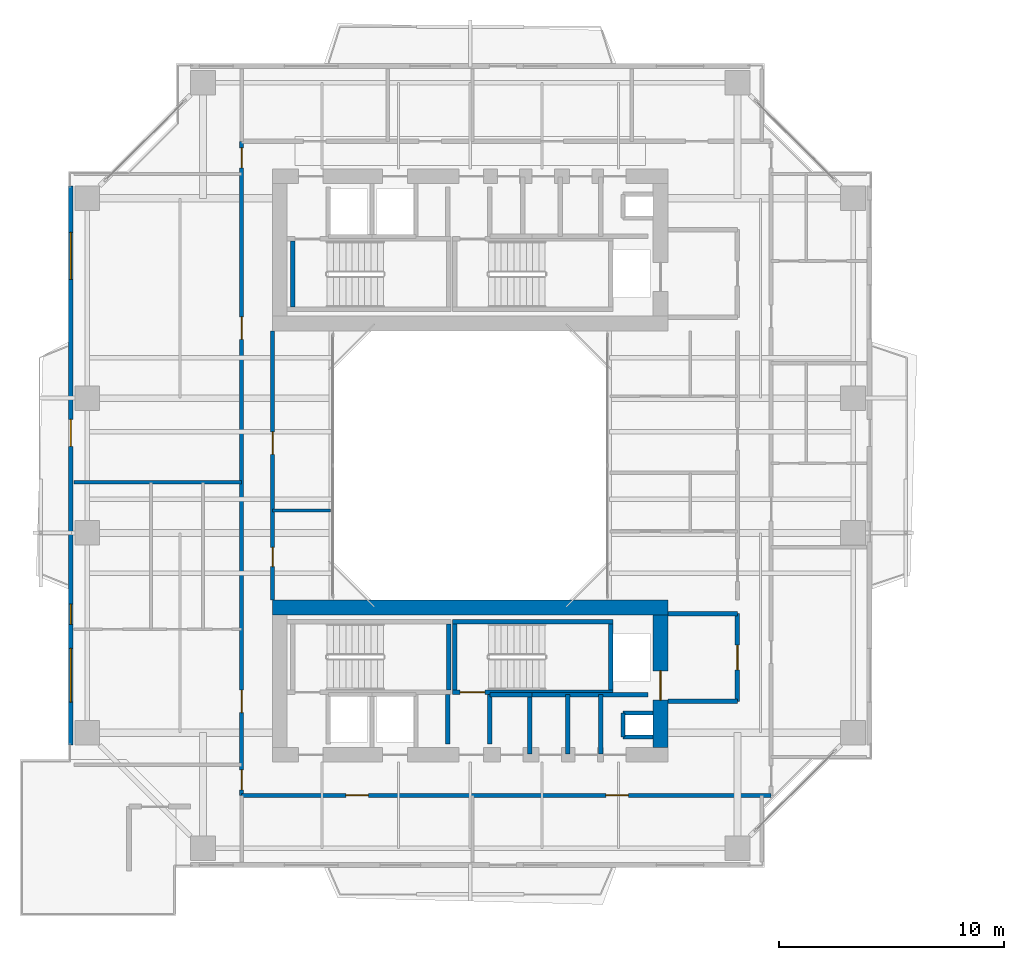
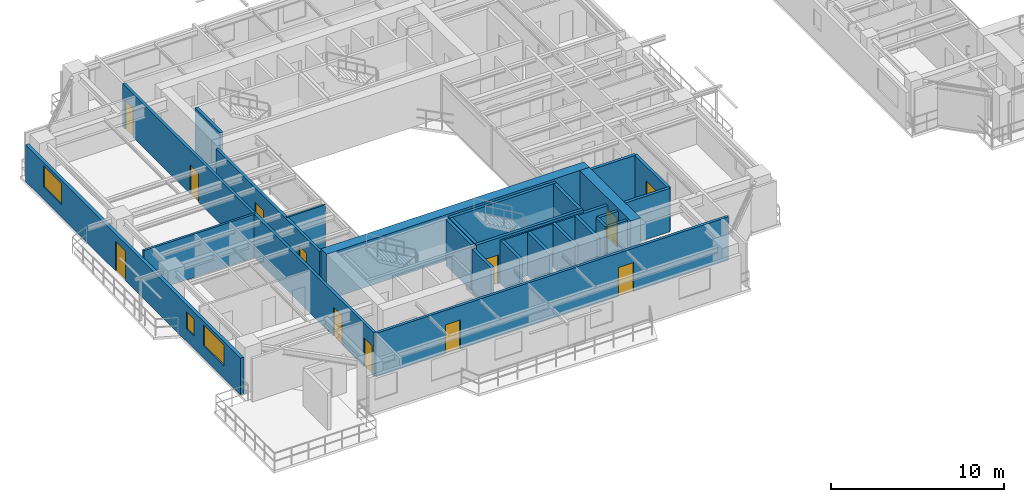
# One storey, part 13 of 23: 27 walls, 12 doors, 3 windows, 15 openings.
"""IFC4 building model written with IfcOpenShell, lengths in metres."""

from ifc_helpers import new_model, si_unit, direction, frame, frame_2d, origin, place, context, subcontext, project, spatial, rectangle, extrude, source, transform, mapped, material, layer, layer_set, type_object, element, fill, save


model = new_model("IFC4")

# Units and contexts
model_context = context("Model", 3, precision=1e-05, world=origin(), true_north=direction((0.0, 1.0)))
body_context = subcontext(model_context, "Body", "Model", "MODEL_VIEW")
ifc_project = project(units=[si_unit("LENGTHUNIT", "METRE"), si_unit("AREAUNIT", "SQUARE_METRE"), si_unit("VOLUMEUNIT", "CUBIC_METRE"), si_unit("PLANEANGLEUNIT", "RADIAN"), si_unit("MASSUNIT", "GRAM", prefix="KILO"), si_unit("THERMODYNAMICTEMPERATUREUNIT", "KELVIN"), si_unit("POWERUNIT", "WATT")], contexts=[model_context])

# Site, building, storey
site_placement = place(None, origin())
site = spatial("IfcSite", under=ifc_project, at=site_placement, CompositionType="ELEMENT")
building_placement = place(site_placement, origin())
building = spatial("IfcBuilding", under=site, at=building_placement, Name="Qiaomeng Ring Towers", CompositionType="ELEMENT")
storey_placement = place(building_placement, frame((0.0, 0.0, 103.5)))
storey = spatial("IfcBuildingStorey", under=building, at=storey_placement, Name="L29", CompositionType="ELEMENT", Elevation=103.5)

# Wall, openings, windows, door
ifc_material_1 = material(Name="Precast concrete C40", Category="concrete")
ifc_layer_1 = layer(ifc_material_1, 0.219970703125, Name="Precast concrete C40")
ifc_layer_set_1 = layer_set([ifc_layer_1], Name="Precast concrete C40")
wall_type_1 = type_object("IfcWallType", Name="ARC-WL-EW2", PredefinedType="STANDARD", material=ifc_layer_set_1)
wall_1_placement = place(storey_placement, frame((1.2099609375, 10.550048828125, 0.0), z_axis=(0.0, 0.0, 1.0), x_axis=(0.0, 1.0, 0.0)))
wall_1 = element("IfcWall", 1, at=wall_1_placement, inside=storey, type_object=wall_type_1, Name="L29 Tower 1 W Exterior Wall", PredefinedType="STANDARD", context=body_context, shape_type="SweptSolid", body=[
    extrude(rectangle(XDim=24.89990234375, YDim=0.219970703125, at=frame_2d((12.449951171875, 0.0))), origin(), (0.0, 0.0, 1.0), 2.610107421875),
])
opening_1_placement = place(wall_1_placement, frame((13.300048828125, 0.0, 0.0)))
opening_1 = element("IfcOpeningElement", 2, at=opening_1_placement, cuts=wall_1, Name="Opening BD1", PredefinedType="OPENING", context=body_context, shape_type="SweptSolid", body=[
    extrude(rectangle(XDim=1.199951171875, YDim=2.10009765625, at=frame_2d((0.60009765625, 1.050048828125))), frame((0.0, 0.119873046875, 0.0), z_axis=(0.0, -1.0, 0.0), x_axis=(1.0, 0.0, 0.0)), (0.0, 0.0, 1.0), 0.239990234375),
])
opening_2_placement = place(wall_1_placement, frame((1.912109375, 0.0, 0.89990234375)))
opening_2 = element("IfcOpeningElement", 3, at=opening_2_placement, cuts=wall_1, Name="Opening WN6", PredefinedType="OPENING", context=body_context, shape_type="SweptSolid", body=[
    extrude(rectangle(XDim=2.39990234375, YDim=1.47998046875, at=frame_2d((1.199951171875, 0.739990234375))), frame((0.0, 0.119873046875, 0.0), z_axis=(0.0, -1.0, 0.0), x_axis=(1.0, 0.0, 0.0)), (0.0, 0.0, 1.0), 0.239990234375),
])
opening_3_placement = place(wall_1_placement, frame((20.737060546875, 0.0, 0.89990234375)))
opening_3 = element("IfcOpeningElement", 4, at=opening_3_placement, cuts=wall_1, Name="Opening WN4", PredefinedType="OPENING", context=body_context, shape_type="SweptSolid", body=[
    extrude(rectangle(XDim=2.10009765625, YDim=1.47998046875, at=frame_2d((1.050048828125, 0.739990234375))), frame((0.0, 0.119873046875, 0.0), z_axis=(0.0, -1.0, 0.0), x_axis=(1.0, 0.0, 0.0)), (0.0, 0.0, 1.0), 0.239990234375),
])
opening_4_placement = place(wall_1_placement, frame((5.3798828125, 0.0, 0.89990234375)))
opening_4 = element("IfcOpeningElement", 5, at=opening_4_placement, cuts=wall_1, Name="Opening WN5", PredefinedType="OPENING", context=body_context, shape_type="SweptSolid", body=[
    extrude(rectangle(XDim=0.89990234375, YDim=1.199951171875, at=frame_2d((0.449951171875, 0.60009765625))), frame((0.0, 0.119873046875, 0.0), z_axis=(0.0, -1.0, 0.0), x_axis=(1.0, 0.0, 0.0)), (0.0, 0.0, 1.0), 0.239990234375),
])
ifc_material_2 = material(Name="Low-E dark-grey laminated double glazing", Category="glass")
window_type_1 = type_object("IfcWindowType", Name="ARC-WN-4", PartitioningType="TRIPLE_PANEL_VERTICAL", PredefinedType="WINDOW", material=ifc_material_2)
shared_shape_1 = source(origin(), body_context, "Body", "SweptSolid", [
    extrude(rectangle(XDim=2.10009765625, YDim=1.47998046875, at=frame_2d((1.050048828125, 0.739990234375))), frame((0.0, 0.030029296875, 0.0), z_axis=(0.0, -1.0, 0.0), x_axis=(1.0, 0.0, 0.0)), (0.0, 0.0, 1.0), 0.06005859375),
])
window_1_placement = place(opening_3_placement, origin())
window_1 = element("IfcWindow", 6, at=window_1_placement, inside=storey, type_object=window_type_1, Name="L29 Exterior Window WN4", OverallHeight=1.47998046875, OverallWidth=2.10009765625, PartitioningType="TRIPLE_PANEL_VERTICAL", PredefinedType="WINDOW", context=body_context, shape_type="MappedRepresentation", body=[
    mapped(shared_shape_1, transform((0.0, 0.0, 0.0), x_axis=(1.0, 0.0, 0.0), y_axis=(0.0, 1.0, 0.0), z_axis=(0.0, 0.0, 1.0), scale=1.0)),
])
fill(opening_3, window_1)
window_type_2 = type_object("IfcWindowType", Name="ARC-WN-6", PartitioningType="TRIPLE_PANEL_VERTICAL", PredefinedType="WINDOW", material=ifc_material_2)
shared_shape_2 = source(origin(), body_context, "Body", "SweptSolid", [
    extrude(rectangle(XDim=2.39990234375, YDim=1.47998046875, at=frame_2d((1.199951171875, 0.739990234375))), frame((0.0, 0.030029296875, 0.0), z_axis=(0.0, -1.0, 0.0), x_axis=(1.0, 0.0, 0.0)), (0.0, 0.0, 1.0), 0.06005859375),
])
window_2_placement = place(opening_2_placement, origin())
window_2 = element("IfcWindow", 7, at=window_2_placement, inside=storey, type_object=window_type_2, Name="L29 Exterior Window WN6", OverallHeight=1.47998046875, OverallWidth=2.39990234375, PartitioningType="TRIPLE_PANEL_VERTICAL", PredefinedType="WINDOW", context=body_context, shape_type="MappedRepresentation", body=[
    mapped(shared_shape_2, transform((0.0, 0.0, 0.0), x_axis=(1.0, 0.0, 0.0), y_axis=(0.0, 1.0, 0.0), z_axis=(0.0, 0.0, 1.0), scale=1.0)),
])
fill(opening_2, window_2)
door_type_1 = type_object("IfcDoorType", Name="ARC-DR-BD1", OperationType="NOTDEFINED", PredefinedType="DOOR", material=ifc_material_2)
shared_shape_3 = source(origin(), body_context, "Body", "SweptSolid", [
    extrude(rectangle(XDim=1.199951171875, YDim=2.10009765625, at=frame_2d((0.60009765625, 1.050048828125))), frame((0.0, 0.02490234375, 0.0), z_axis=(0.0, -1.0, 0.0), x_axis=(1.0, 0.0, 0.0)), (0.0, 0.0, 1.0), 0.050048828125),
])
door_1_placement = place(opening_1_placement, frame((1.199951171875, 0.0, 0.0), z_axis=(0.0, 0.0, 1.0), x_axis=(-1.0, 0.0, 0.0)))
door_1 = element("IfcDoor", 8, at=door_1_placement, inside=storey, type_object=door_type_1, Name="L29 W Balcony Glazed Door", OperationType="SINGLE_SWING_LEFT", OverallHeight=2.10009765625, OverallWidth=1.199951171875, PredefinedType="DOOR", context=body_context, shape_type="MappedRepresentation", body=[
    mapped(shared_shape_3, transform((0.0, 0.0, 0.0), x_axis=(1.0, 0.0, 0.0), y_axis=(0.0, 1.0, 0.0), z_axis=(0.0, 0.0, 1.0), scale=1.0)),
])
fill(opening_1, door_1)
window_type_3 = type_object("IfcWindowType", Name="ARC-WN-5", PartitioningType="SINGLE_PANEL", PredefinedType="WINDOW", material=ifc_material_2)
shared_shape_4 = source(origin(), body_context, "Body", "SweptSolid", [
    extrude(rectangle(XDim=0.89990234375, YDim=1.199951171875, at=frame_2d((0.449951171875, 0.60009765625))), frame((0.0, 0.030029296875, 0.0), z_axis=(0.0, -1.0, 0.0), x_axis=(1.0, 0.0, 0.0)), (0.0, 0.0, 1.0), 0.06005859375),
])
window_3_placement = place(opening_4_placement, origin())
window_3 = element("IfcWindow", 9, at=window_3_placement, inside=storey, type_object=window_type_3, Name="L29 Exterior Window WN5", OverallHeight=1.199951171875, OverallWidth=0.89990234375, PartitioningType="SINGLE_PANEL", PredefinedType="WINDOW", context=body_context, shape_type="MappedRepresentation", body=[
    mapped(shared_shape_4, transform((0.0, 0.0, 0.0), x_axis=(1.0, 0.0, 0.0), y_axis=(0.0, 1.0, 0.0), z_axis=(0.0, 0.0, 1.0), scale=1.0)),
])
fill(opening_4, window_3)

# Walls
ifc_material_3 = material(Name="Autoclaved aerated concrete block", Category="concrete")
ifc_layer_2 = layer(ifc_material_3, 0.199951171875, Name="Autoclaved aerated concrete block")
ifc_layer_set_2 = layer_set([ifc_layer_2], Name="Autoclaved aerated concrete block")
wall_type_2 = type_object("IfcWallType", Name="ARC-WL-PW1", PredefinedType="PARTITIONING", material=ifc_layer_set_2)
for number, where, z_axis, x_axis, name in (
    (10, (27.800048828125, 16.39990234375, 0.0), (0.0, 0.0, 1.0), (1.0, 0.0, 0.0), "L29 Interior Wall PW1"),
    (11, (27.800048828125, 12.5, 0.0), (0.0, 0.0, 1.0), (1.0, 0.0, 0.0), "L29 Interior Wall PW1"),
):
    element("IfcWall", number, at=place(storey_placement, frame(where, z_axis=z_axis, x_axis=x_axis)), inside=storey, type_object=wall_type_2, Name=name, PredefinedType="PARTITIONING", context=body_context, shape_type="SweptSolid", body=[
        extrude(rectangle(XDim=3.099853515625, YDim=0.199951171875, at=frame_2d((1.5498046875, 0.0))), origin(), (0.0, 0.0, 1.0), 3.070068359375),
    ])

# Wall, opening, door
wall_2_placement = place(storey_placement, frame((30.89990234375, 12.5, 0.0), z_axis=(0.0, 0.0, 1.0), x_axis=(0.0, 1.0, 0.0)))
wall_2 = element("IfcWall", 12, at=wall_2_placement, inside=storey, type_object=wall_type_2, Name="L29 Interior Wall PW1", PredefinedType="PARTITIONING", context=body_context, shape_type="SweptSolid", body=[
    extrude(rectangle(XDim=3.89990234375, YDim=0.199951171875, at=frame_2d((1.949951171875, 0.0))), origin(), (0.0, 0.0, 1.0), 3.070068359375),
])
opening_5_placement = place(wall_2_placement, frame((1.39990234375, 0.0, 0.0)))
opening_5 = element("IfcOpeningElement", 13, at=opening_5_placement, cuts=wall_2, Name="Opening FD3", PredefinedType="OPENING", context=body_context, shape_type="SweptSolid", body=[
    extrude(rectangle(XDim=1.10009765625, YDim=2.050048828125, at=frame_2d((0.550048828125, 1.02490234375))), frame((0.0, 0.10986328125, 0.0), z_axis=(0.0, -1.0, 0.0), x_axis=(1.0, 0.0, 0.0)), (0.0, 0.0, 1.0), 0.219970703125),
])
ifc_material_4 = material(Name="Galvanised steel", Category="steel")
door_type_2 = type_object("IfcDoorType", Name="ARC-DR-FD3", OperationType="NOTDEFINED", PredefinedType="DOOR", material=ifc_material_4)
shared_shape_5 = source(origin(), body_context, "Body", "SweptSolid", [
    extrude(rectangle(XDim=1.10009765625, YDim=2.050048828125, at=frame_2d((0.550048828125, 1.02490234375))), frame((0.0, 0.02490234375, 0.0), z_axis=(0.0, -1.0, 0.0), x_axis=(1.0, 0.0, 0.0)), (0.0, 0.0, 1.0), 0.050048828125),
])
door_2_placement = place(opening_5_placement, origin())
door_2 = element("IfcDoor", 14, at=door_2_placement, inside=storey, type_object=door_type_2, Name="L29 South FF Lobby Door", OperationType="SINGLE_SWING_RIGHT", OverallHeight=2.050048828125, OverallWidth=1.10009765625, PredefinedType="DOOR", context=body_context, shape_type="MappedRepresentation", body=[
    mapped(shared_shape_5, transform((0.0, 0.0, 0.0), x_axis=(1.0, 0.0, 0.0), y_axis=(0.0, 1.0, 0.0), z_axis=(0.0, 0.0, 1.0), scale=1.0)),
])
fill(opening_5, door_2)

# Walls
for number, where, z_axis, x_axis, name in (
    (15, (18.0, 10.60009765625, 0.0), (0.0, 0.0, 1.0), (0.0, 1.0, 0.0), "L29 Interior Wall PW1"),
    (16, (19.8798828125, 10.60009765625, 0.0), (0.0, 0.0, 1.0), (0.0, 1.0, 0.0), "L29 Interior Wall PW1"),
):
    element("IfcWall", number, at=place(storey_placement, frame(where, z_axis=z_axis, x_axis=x_axis)), inside=storey, type_object=wall_type_2, Name=name, PredefinedType="PARTITIONING", context=body_context, shape_type="SweptSolid", body=[
        extrude(rectangle(XDim=2.2099609375, YDim=0.199951171875, at=frame_2d((1.10498046875, 0.0))), origin(), (0.0, 0.0, 1.0), 3.070068359375),
    ])
wall_3_placement = place(storey_placement, frame((24.820068359375, 10.14990234375, 0.0), z_axis=(0.0, 0.0, 1.0), x_axis=(0.0, 1.0, 0.0)))
element("IfcWall", 17, at=wall_3_placement, inside=storey, type_object=wall_type_2, Name="L29 Interior Wall PW1", PredefinedType="PARTITIONING", context=body_context, shape_type="SweptSolid", body=[
    extrude(rectangle(XDim=2.650146484375, YDim=0.199951171875, at=frame_2d((1.3251953125, 0.0))), origin(), (0.0, 0.0, 1.0), 3.070068359375),
])
wall_4_placement = place(storey_placement, frame((19.8798828125, 12.800048828125, 0.0), z_axis=(0.0, 0.0, 1.0), x_axis=(1.0, 0.0, 0.0)))
element("IfcWall", 18, at=wall_4_placement, inside=storey, type_object=wall_type_2, Name="L29 Interior Wall PW1", PredefinedType="PARTITIONING", context=body_context, shape_type="SweptSolid", body=[
    extrude(rectangle(XDim=1.8701171875, YDim=0.199951171875, at=frame_2d((0.93505859375, 0.0))), origin(), (0.0, 0.0, 1.0), 3.070068359375),
])
for number, where, z_axis, x_axis, name in (
    (19, (21.639892578125, 10.14990234375, 0.0), (0.0, 0.0, 1.0), (0.0, 1.0, 0.0), "L29 Interior Wall PW1"),
    (20, (23.35009765625, 10.14990234375, 0.0), (0.0, 0.0, 1.0), (0.0, 1.0, 0.0), "L29 Interior Wall PW1"),
):
    element("IfcWall", number, at=place(storey_placement, frame(where, z_axis=z_axis, x_axis=x_axis)), inside=storey, type_object=wall_type_2, Name=name, PredefinedType="PARTITIONING", context=body_context, shape_type="SweptSolid", body=[
        extrude(rectangle(XDim=2.650146484375, YDim=0.199951171875, at=frame_2d((1.3251953125, 0.0))), origin(), (0.0, 0.0, 1.0), 3.070068359375),
    ])
wall_5_placement = place(storey_placement, frame((21.75, 12.800048828125, 0.0), z_axis=(0.0, 0.0, 1.0), x_axis=(1.0, 0.0, 0.0)))
element("IfcWall", 21, at=wall_5_placement, inside=storey, type_object=wall_type_2, Name="L29 Interior Wall PW1", PredefinedType="PARTITIONING", context=body_context, shape_type="SweptSolid", body=[
    extrude(rectangle(XDim=5.169921875, YDim=0.199951171875, at=frame_2d((2.5849609375, 0.0))), origin(), (0.0, 0.0, 1.0), 3.070068359375),
])

# Wall, openings, doors
ifc_layer_3 = layer(ifc_material_3, 0.179931640625, Name="Autoclaved aerated concrete block")
ifc_layer_set_3 = layer_set([ifc_layer_3], Name="Autoclaved aerated concrete block")
wall_type_3 = type_object("IfcWallType", Name="ARC-WL-PW2", PredefinedType="PARTITIONING", material=ifc_layer_set_3)
wall_6_placement = place(storey_placement, frame((8.820068359375, 8.31005859375, 0.0), z_axis=(0.0, 0.0, 1.0), x_axis=(1.0, 0.0, 0.0)))
wall_6 = element("IfcWall", 22, at=wall_6_placement, inside=storey, type_object=wall_type_3, Name="L29 Interior Wall PW2", PredefinedType="PARTITIONING", context=body_context, shape_type="SweptSolid", body=[
    extrude(rectangle(XDim=23.579833984375, YDim=0.179931640625, at=frame_2d((11.7900390625, 0.0))), origin(), (0.0, 0.0, 1.0), 3.070068359375),
])
opening_6_placement = place(wall_6_placement, frame((4.639892578125, 0.0, 0.0)))
opening_6 = element("IfcOpeningElement", 23, at=opening_6_placement, cuts=wall_6, Name="Opening FD4", PredefinedType="OPENING", context=body_context, shape_type="SweptSolid", body=[
    extrude(rectangle(XDim=1.0, YDim=2.050048828125, at=frame_2d((0.5, 1.02490234375))), frame((0.0, 0.099853515625, 0.0), z_axis=(0.0, -1.0, 0.0), x_axis=(1.0, 0.0, 0.0)), (0.0, 0.0, 1.0), 0.199951171875),
])
opening_7_placement = place(wall_6_placement, frame((16.219970703125, 0.0, 0.0)))
opening_7 = element("IfcOpeningElement", 24, at=opening_7_placement, cuts=wall_6, Name="Opening FD4", PredefinedType="OPENING", context=body_context, shape_type="SweptSolid", body=[
    extrude(rectangle(XDim=1.0, YDim=2.050048828125, at=frame_2d((0.5, 1.02490234375))), frame((0.0, 0.099853515625, 0.0), z_axis=(0.0, -1.0, 0.0), x_axis=(1.0, 0.0, 0.0)), (0.0, 0.0, 1.0), 0.199951171875),
])
ifc_material_5 = material(Name="Engineered fire-rated oak timber", Category="wood")
door_type_3 = type_object("IfcDoorType", Name="ARC-DR-FD4", OperationType="NOTDEFINED", PredefinedType="DOOR", material=ifc_material_5)
shared_shape_6 = source(origin(), body_context, "Body", "SweptSolid", [
    extrude(rectangle(XDim=1.0, YDim=2.050048828125, at=frame_2d((0.5, 1.02490234375))), frame((0.0, 0.02490234375, 0.0), z_axis=(0.0, -1.0, 0.0), x_axis=(1.0, 0.0, 0.0)), (0.0, 0.0, 1.0), 0.050048828125),
])
door_3_placement = place(opening_6_placement, origin())
door_3 = element("IfcDoor", 25, at=door_3_placement, inside=storey, type_object=door_type_3, Name="L29 Door FD4", OperationType="SINGLE_SWING_LEFT", OverallHeight=2.050048828125, OverallWidth=1.0, PredefinedType="DOOR", context=body_context, shape_type="MappedRepresentation", body=[
    mapped(shared_shape_6, transform((0.0, 0.0, 0.0), x_axis=(1.0, 0.0, 0.0), y_axis=(0.0, 1.0, 0.0), z_axis=(0.0, 0.0, 1.0), scale=1.0)),
])
fill(opening_6, door_3)
door_4_placement = place(opening_7_placement, origin())
door_4 = element("IfcDoor", 26, at=door_4_placement, inside=storey, type_object=door_type_3, Name="L29 Door FD4", OperationType="SINGLE_SWING_RIGHT", OverallHeight=2.050048828125, OverallWidth=1.0, PredefinedType="DOOR", context=body_context, shape_type="MappedRepresentation", body=[
    mapped(shared_shape_6, transform((0.0, 0.0, 0.0), x_axis=(1.0, 0.0, 0.0), y_axis=(0.0, 1.0, 0.0), z_axis=(0.0, 0.0, 1.0), scale=1.0)),
])
fill(opening_7, door_4)

wall_7_placement = place(storey_placement, frame((8.820068359375, 8.31005859375, 0.0), z_axis=(0.0, 0.0, 1.0), x_axis=(0.0, 1.0, 0.0)))
wall_7 = element("IfcWall", 27, at=wall_7_placement, inside=storey, type_object=wall_type_3, Name="L29 Interior Wall PW2", PredefinedType="PARTITIONING", context=body_context, shape_type="SweptSolid", body=[
    extrude(rectangle(XDim=29.1298828125, YDim=0.179931640625, at=frame_2d((14.56494140625, 0.0))), origin(), (0.0, 0.0, 1.0), 3.070068359375),
])
opening_8_placement = place(wall_7_placement, frame((27.93994140625, 0.0, 0.0)))
opening_8 = element("IfcOpeningElement", 28, at=opening_8_placement, cuts=wall_7, Name="Opening ID1", PredefinedType="OPENING", context=body_context, shape_type="SweptSolid", body=[
    extrude(rectangle(XDim=0.89990234375, YDim=2.050048828125, at=frame_2d((0.449951171875, 1.02490234375))), frame((0.0, 0.099853515625, 0.0), z_axis=(0.0, -1.0, 0.0), x_axis=(1.0, 0.0, 0.0)), (0.0, 0.0, 1.0), 0.199951171875),
])
opening_9_placement = place(wall_7_placement, frame((0.239990234375, 0.0, 0.0)))
opening_9 = element("IfcOpeningElement", 29, at=opening_9_placement, cuts=wall_7, Name="Opening ID1", PredefinedType="OPENING", context=body_context, shape_type="SweptSolid", body=[
    extrude(rectangle(XDim=0.89990234375, YDim=2.050048828125, at=frame_2d((0.449951171875, 1.02490234375))), frame((0.0, 0.099853515625, 0.0), z_axis=(0.0, -1.0, 0.0), x_axis=(1.0, 0.0, 0.0)), (0.0, 0.0, 1.0), 0.199951171875),
])
opening_10_placement = place(wall_7_placement, frame((3.68994140625, 0.0, 0.0)))
opening_10 = element("IfcOpeningElement", 30, at=opening_10_placement, cuts=wall_7, Name="Opening FD4", PredefinedType="OPENING", context=body_context, shape_type="SweptSolid", body=[
    extrude(rectangle(XDim=1.0, YDim=2.050048828125, at=frame_2d((0.5, 1.02490234375))), frame((0.0, 0.099853515625, 0.0), z_axis=(0.0, -1.0, 0.0), x_axis=(1.0, 0.0, 0.0)), (0.0, 0.0, 1.0), 0.199951171875),
])
opening_11_placement = place(wall_7_placement, frame((20.304931640625, 0.0, 0.0)))
opening_11 = element("IfcOpeningElement", 31, at=opening_11_placement, cuts=wall_7, Name="Opening FD4", PredefinedType="OPENING", context=body_context, shape_type="SweptSolid", body=[
    extrude(rectangle(XDim=1.0, YDim=2.050048828125, at=frame_2d((0.5, 1.02490234375))), frame((0.0, 0.099853515625, 0.0), z_axis=(0.0, -1.0, 0.0), x_axis=(1.0, 0.0, 0.0)), (0.0, 0.0, 1.0), 0.199951171875),
])
door_5_placement = place(opening_10_placement, origin())
door_5 = element("IfcDoor", 32, at=door_5_placement, inside=storey, type_object=door_type_3, Name="L29 Door FD4", OperationType="SINGLE_SWING_RIGHT", OverallHeight=2.050048828125, OverallWidth=1.0, PredefinedType="DOOR", context=body_context, shape_type="MappedRepresentation", body=[
    mapped(shared_shape_6, transform((0.0, 0.0, 0.0), x_axis=(1.0, 0.0, 0.0), y_axis=(0.0, 1.0, 0.0), z_axis=(0.0, 0.0, 1.0), scale=1.0)),
])
fill(opening_10, door_5)
door_6_placement = place(opening_11_placement, origin())
door_6 = element("IfcDoor", 33, at=door_6_placement, inside=storey, type_object=door_type_3, Name="L29 Door FD4", OperationType="SINGLE_SWING_LEFT", OverallHeight=2.050048828125, OverallWidth=1.0, PredefinedType="DOOR", context=body_context, shape_type="MappedRepresentation", body=[
    mapped(shared_shape_6, transform((0.0, 0.0, 0.0), x_axis=(1.0, 0.0, 0.0), y_axis=(0.0, 1.0, 0.0), z_axis=(0.0, 0.0, 1.0), scale=1.0)),
])
fill(opening_11, door_6)
ifc_material_6 = material(Name="Engineered oak timber", Category="wood")
door_type_4 = type_object("IfcDoorType", Name="ARC-DR-ID1", OperationType="NOTDEFINED", PredefinedType="DOOR", material=ifc_material_6)
shared_shape_7 = source(origin(), body_context, "Body", "SweptSolid", [
    extrude(rectangle(XDim=0.89990234375, YDim=2.050048828125, at=frame_2d((0.449951171875, 1.02490234375))), frame((0.0, 0.02490234375, 0.0), z_axis=(0.0, -1.0, 0.0), x_axis=(1.0, 0.0, 0.0)), (0.0, 0.0, 1.0), 0.050048828125),
])
door_7_placement = place(opening_8_placement, origin())
door_7 = element("IfcDoor", 34, at=door_7_placement, inside=storey, type_object=door_type_4, Name="L29 Door ID1", OperationType="SINGLE_SWING_LEFT", OverallHeight=2.050048828125, OverallWidth=0.89990234375, PredefinedType="DOOR", context=body_context, shape_type="MappedRepresentation", body=[
    mapped(shared_shape_7, transform((0.0, 0.0, 0.0), x_axis=(1.0, 0.0, 0.0), y_axis=(0.0, 1.0, 0.0), z_axis=(0.0, 0.0, 1.0), scale=1.0)),
])
fill(opening_8, door_7)
door_8_placement = place(opening_9_placement, origin())
door_8 = element("IfcDoor", 35, at=door_8_placement, inside=storey, type_object=door_type_4, Name="L29 Door ID1", OperationType="SINGLE_SWING_RIGHT", OverallHeight=2.050048828125, OverallWidth=0.89990234375, PredefinedType="DOOR", context=body_context, shape_type="MappedRepresentation", body=[
    mapped(shared_shape_7, transform((0.0, 0.0, 0.0), x_axis=(1.0, 0.0, 0.0), y_axis=(0.0, 1.0, 0.0), z_axis=(0.0, 0.0, 1.0), scale=1.0)),
])
fill(opening_9, door_8)

wall_8_placement = place(storey_placement, frame((10.199951171875, 17.0, 0.0), z_axis=(0.0, 0.0, 1.0), x_axis=(0.0, 1.0, 0.0)))
wall_8 = element("IfcWall", 36, at=wall_8_placement, inside=storey, type_object=wall_type_3, Name="L29 Interior Wall PW2", PredefinedType="PARTITIONING", context=body_context, shape_type="SweptSolid", body=[
    extrude(rectangle(XDim=12.0, YDim=0.179931640625, at=frame_2d((6.0, 0.0))), origin(), (0.0, 0.0, 1.0), 3.070068359375),
])
opening_12_placement = place(wall_8_placement, frame((1.5, 0.0, 0.0)))
opening_12 = element("IfcOpeningElement", 37, at=opening_12_placement, cuts=wall_8, Name="Opening ID2", PredefinedType="OPENING", context=body_context, shape_type="SweptSolid", body=[
    extrude(rectangle(XDim=0.85009765625, YDim=2.050048828125, at=frame_2d((0.425048828125, 1.02490234375))), frame((0.0, 0.099853515625, 0.0), z_axis=(0.0, -1.0, 0.0), x_axis=(1.0, 0.0, 0.0)), (0.0, 0.0, 1.0), 0.199951171875),
])
opening_13_placement = place(wall_8_placement, frame((6.5, 0.0, 0.0)))
opening_13 = element("IfcOpeningElement", 38, at=opening_13_placement, cuts=wall_8, Name="Opening FD4", PredefinedType="OPENING", context=body_context, shape_type="SweptSolid", body=[
    extrude(rectangle(XDim=1.0, YDim=2.050048828125, at=frame_2d((0.5, 1.02490234375))), frame((0.0, 0.099853515625, 0.0), z_axis=(0.0, -1.0, 0.0), x_axis=(1.0, 0.0, 0.0)), (0.0, 0.0, 1.0), 0.199951171875),
])
door_9_placement = place(opening_13_placement, origin())
door_9 = element("IfcDoor", 39, at=door_9_placement, inside=storey, type_object=door_type_3, Name="L29 Door FD4", OperationType="SINGLE_SWING_LEFT", OverallHeight=2.050048828125, OverallWidth=1.0, PredefinedType="DOOR", context=body_context, shape_type="MappedRepresentation", body=[
    mapped(shared_shape_6, transform((0.0, 0.0, 0.0), x_axis=(1.0, 0.0, 0.0), y_axis=(0.0, 1.0, 0.0), z_axis=(0.0, 0.0, 1.0), scale=1.0)),
])
fill(opening_13, door_9)
ifc_material_7 = material(Name="Moisture-resistant engineered timber", Category="wood")
door_type_5 = type_object("IfcDoorType", Name="ARC-DR-ID2", OperationType="NOTDEFINED", PredefinedType="DOOR", material=ifc_material_7)
shared_shape_8 = source(origin(), body_context, "Body", "SweptSolid", [
    extrude(rectangle(XDim=0.85009765625, YDim=2.050048828125, at=frame_2d((0.425048828125, 1.02490234375))), frame((0.0, 0.02490234375, 0.0), z_axis=(0.0, -1.0, 0.0), x_axis=(1.0, 0.0, 0.0)), (0.0, 0.0, 1.0), 0.050048828125),
])
door_10_placement = place(opening_12_placement, origin())
door_10 = element("IfcDoor", 40, at=door_10_placement, inside=storey, type_object=door_type_5, Name="L29 Door ID2", OperationType="SINGLE_SWING_RIGHT", OverallHeight=2.050048828125, OverallWidth=0.85009765625, PredefinedType="DOOR", context=body_context, shape_type="MappedRepresentation", body=[
    mapped(shared_shape_8, transform((0.0, 0.0, 0.0), x_axis=(1.0, 0.0, 0.0), y_axis=(0.0, 1.0, 0.0), z_axis=(0.0, 0.0, 1.0), scale=1.0)),
])
fill(opening_12, door_10)

# Walls
ifc_material_8 = material(Name="Gypsum fireboard steel-stud partition", Category="steel")
ifc_layer_4 = layer(ifc_material_8, 0.14990234375, Name="Gypsum fireboard steel-stud partition")
ifc_layer_set_4 = layer_set([ifc_layer_4], Name="Gypsum fireboard steel-stud partition")
wall_type_4 = type_object("IfcWallType", Name="ARC-WL-PW3", PredefinedType="PARTITIONING", material=ifc_layer_set_4)
wall_9_placement = place(storey_placement, frame((1.35009765625, 22.25, 0.0), z_axis=(0.0, 0.0, 1.0), x_axis=(1.0, 0.0, 0.0)))
element("IfcWall", 41, at=wall_9_placement, inside=storey, type_object=wall_type_4, Name="L29 Interior Wall PW3", PredefinedType="PARTITIONING", context=body_context, shape_type="SweptSolid", body=[
    extrude(rectangle(XDim=7.469970703125, YDim=0.14990234375, at=frame_2d((3.73486328125, 0.0))), origin(), (0.0, 0.0, 1.0), 3.070068359375),
])
ifc_material_9 = material(Name="Moisture-resistant gypsum steel-stud partition", Category="steel")
ifc_layer_5 = layer(ifc_material_9, 0.1201171875, Name="Moisture-resistant gypsum steel-stud partition")
ifc_layer_set_5 = layer_set([ifc_layer_5], Name="Moisture-resistant gypsum steel-stud partition")
wall_type_5 = type_object("IfcWallType", Name="ARC-WL-PW4", PredefinedType="PLUMBINGWALL", material=ifc_layer_set_5)
wall_10_placement = place(storey_placement, frame((10.199951171875, 21.0, 0.0), z_axis=(0.0, 0.0, 1.0), x_axis=(1.0, 0.0, 0.0)))
element("IfcWall", 42, at=wall_10_placement, inside=storey, type_object=wall_type_5, Name="L29 Interior Wall PW4", PredefinedType="PLUMBINGWALL", context=body_context, shape_type="SweptSolid", body=[
    extrude(rectangle(XDim=2.580078125, YDim=0.1201171875, at=frame_2d((1.2900390625, 0.0))), origin(), (0.0, 0.0, 1.0), 3.070068359375),
])
ifc_material_10 = material(Name="Concrete C40", Category="concrete")
ifc_layer_6 = layer(ifc_material_10, 0.199951171875, Name="Concrete C40")
ifc_layer_set_6 = layer_set([ifc_layer_6], Name="Concrete C40")
wall_type_6 = type_object("IfcWallType", Name="STR-WL-STSHAFT", PredefinedType="SHEAR", material=ifc_layer_set_6)
wall_11_placement = place(storey_placement, frame((25.800048828125, 10.919921875, 0.0), z_axis=(0.0, 0.0, 1.0), x_axis=(0.0, 1.0, 0.0)))
element("IfcWall", 43, at=wall_11_placement, inside=storey, type_object=wall_type_6, Name="L29 Riser RSR1 West Shaft Wall S", PredefinedType="SHEAR", context=body_context, shape_type="SweptSolid", body=[
    extrude(rectangle(XDim=1.06005859375, YDim=0.179931640625, at=frame_2d((0.530029296875, 0.0))), origin(), (0.0, 0.0, 1.0), 3.070068359375),
])
for number, where, z_axis, x_axis, name in (
    (44, (25.800048828125, 11.97998046875, 0.0), (0.0, 0.0, 1.0), (1.0, 0.0, 0.0), "L29 Riser RSR1 North Shaft Wall S"),
    (45, (25.800048828125, 10.919921875, 0.0), (0.0, 0.0, 1.0), (1.0, 0.0, 0.0), "L29 Riser RSR1 South Shaft Wall S"),
):
    element("IfcWall", number, at=place(storey_placement, frame(where, z_axis=z_axis, x_axis=x_axis)), inside=storey, type_object=wall_type_6, Name=name, PredefinedType="SHEAR", context=body_context, shape_type="SweptSolid", body=[
        extrude(rectangle(XDim=1.349853515625, YDim=0.179931640625, at=frame_2d((0.6748046875, 0.0))), origin(), (0.0, 0.0, 1.0), 3.070068359375),
    ])
for number, where, z_axis, x_axis, name in (
    (46, (11.10009765625, 30.050048828125, 0.0), (0.0, 0.0, 1.0), (0.0, 1.0, 0.0), "L29 Stair ST1 West Shaft Shear Wall"),
    (47, (18.050048828125, 13.010009765625, 0.0), (0.0, 0.0, 1.0), (0.0, 1.0, 0.0), "L29 Stair ST3 East Shaft Shear Wall"),
):
    element("IfcWall", number, at=place(storey_placement, frame(where, z_axis=z_axis, x_axis=x_axis)), inside=storey, type_object=wall_type_6, Name=name, PredefinedType="SHEAR", context=body_context, shape_type="SweptSolid", body=[
        extrude(rectangle(XDim=2.93994140625, YDim=0.199951171875, at=frame_2d((1.469970703125, 0.0))), origin(), (0.0, 0.0, 1.0), 3.25),
    ])

# Wall, opening, door
wall_12_placement = place(storey_placement, frame((18.199951171875, 12.909912109375, 0.0), z_axis=(0.0, 0.0, 1.0), x_axis=(1.0, 0.0, 0.0)))
wall_12 = element("IfcWall", 48, at=wall_12_placement, inside=storey, type_object=wall_type_6, Name="L29 Stair ST4 South Shaft Shear Wall", PredefinedType="SHEAR", context=body_context, shape_type="SweptSolid", body=[
    extrude(rectangle(XDim=7.150146484375, YDim=0.199951171875, at=frame_2d((3.5751953125, 0.0))), origin(), (0.0, 0.0, 1.0), 3.25),
])
opening_14_placement = place(wall_12_placement, frame((0.35009765625, 0.0, 0.0)))
opening_14 = element("IfcOpeningElement", 49, at=opening_14_placement, cuts=wall_12, Name="Opening FD3", PredefinedType="OPENING", context=body_context, shape_type="SweptSolid", body=[
    extrude(rectangle(XDim=1.10009765625, YDim=2.050048828125, at=frame_2d((0.550048828125, 1.02490234375))), frame((0.0, 0.10986328125, 0.0), z_axis=(0.0, -1.0, 0.0), x_axis=(1.0, 0.0, 0.0)), (0.0, 0.0, 1.0), 0.219970703125),
])
door_11_placement = place(opening_14_placement, frame((1.10009765625, 0.0, 0.0), z_axis=(0.0, 0.0, 1.0), x_axis=(-1.0, 0.0, 0.0)))
door_11 = element("IfcDoor", 50, at=door_11_placement, inside=storey, type_object=door_type_2, Name="L29 Stair ST4 Exit Door", OperationType="SINGLE_SWING_RIGHT", OverallHeight=2.050048828125, OverallWidth=1.10009765625, PredefinedType="DOOR", context=body_context, shape_type="MappedRepresentation", body=[
    mapped(shared_shape_5, transform((0.0, 0.0, 0.0), x_axis=(1.0, 0.0, 0.0), y_axis=(0.0, 1.0, 0.0), z_axis=(0.0, 0.0, 1.0), scale=1.0)),
])
fill(opening_14, door_11)

# Walls
wall_13_placement = place(storey_placement, frame((18.199951171875, 16.050048828125, 0.0), z_axis=(0.0, 0.0, 1.0), x_axis=(1.0, 0.0, 0.0)))
element("IfcWall", 51, at=wall_13_placement, inside=storey, type_object=wall_type_6, Name="L29 Stair ST4 North Shaft Shear Wall", PredefinedType="SHEAR", context=body_context, shape_type="SweptSolid", body=[
    extrude(rectangle(XDim=7.150146484375, YDim=0.199951171875, at=frame_2d((3.5751953125, 0.0))), origin(), (0.0, 0.0, 1.0), 3.25),
])
for number, where, z_axis, x_axis, name in (
    (52, (18.300048828125, 13.010009765625, 0.0), (0.0, 0.0, 1.0), (0.0, 1.0, 0.0), "L29 Stair ST4 West Shaft Shear Wall"),
    (53, (25.25, 13.010009765625, 0.0), (0.0, 0.0, 1.0), (0.0, 1.0, 0.0), "L29 Stair ST4 East Shaft Shear Wall"),
):
    element("IfcWall", number, at=place(storey_placement, frame(where, z_axis=z_axis, x_axis=x_axis)), inside=storey, type_object=wall_type_6, Name=name, PredefinedType="SHEAR", context=body_context, shape_type="SweptSolid", body=[
        extrude(rectangle(XDim=2.93994140625, YDim=0.199951171875, at=frame_2d((1.469970703125, 0.0))), origin(), (0.0, 0.0, 1.0), 3.25),
    ])
ifc_material_11 = material(Name="Concrete C55", Category="concrete")
ifc_layer_7 = layer(ifc_material_11, 0.64990234375, Name="Concrete C55")
ifc_layer_set_7 = layer_set([ifc_layer_7], Name="Concrete C55")
wall_type_7 = type_object("IfcWallType", Name="STR-WL-SW2A", PredefinedType="SHEAR", material=ifc_layer_set_7)
wall_14_placement = place(storey_placement, frame((10.199951171875, 16.675048828125, 0.0), z_axis=(0.0, 0.0, 1.0), x_axis=(1.0, 0.0, 0.0)))
element("IfcWall", 54, at=wall_14_placement, inside=storey, type_object=wall_type_7, Name="L29 T1SC north core shear wall", PredefinedType="SHEAR", context=body_context, shape_type="SweptSolid", body=[
    extrude(rectangle(XDim=17.60009765625, YDim=0.64990234375, at=frame_2d((8.800048828125, 0.0))), origin(), (0.0, 0.0, 1.0), 3.25),
])

# Wall, opening, door
wall_15_placement = place(storey_placement, frame((27.47509765625, 10.449951171875, 0.0), z_axis=(0.0, 0.0, 1.0), x_axis=(0.0, 1.0, 0.0)))
wall_15 = element("IfcWall", 55, at=wall_15_placement, inside=storey, type_object=wall_type_7, Name="L29 T1SC east core shear wall", PredefinedType="SHEAR", context=body_context, shape_type="SweptSolid", body=[
    extrude(rectangle(XDim=5.900146484375, YDim=0.64990234375, at=frame_2d((2.9501953125, 0.0))), origin(), (0.0, 0.0, 1.0), 3.25),
])
opening_15_placement = place(wall_15_placement, frame((2.10009765625, 0.0, 0.0)))
opening_15 = element("IfcOpeningElement", 56, at=opening_15_placement, cuts=wall_15, Name="Opening LD2", PredefinedType="OPENING", context=body_context, shape_type="SweptSolid", body=[
    extrude(rectangle(XDim=1.300048828125, YDim=2.050048828125, at=frame_2d((0.64990234375, 1.02490234375))), frame((0.0, 0.3349609375, 0.0), z_axis=(0.0, -1.0, 0.0), x_axis=(1.0, 0.0, 0.0)), (0.0, 0.0, 1.0), 0.669921875),
])
ifc_material_12 = material(Name="Stainless steel 316", Category="steel")
door_type_6 = type_object("IfcDoorType", Name="ARC-DR-LD2", OperationType="NOTDEFINED", PredefinedType="DOOR", material=ifc_material_12)
shared_shape_9 = source(origin(), body_context, "Body", "SweptSolid", [
    extrude(rectangle(XDim=1.300048828125, YDim=2.050048828125, at=frame_2d((0.64990234375, 1.02490234375))), frame((0.0, 0.02490234375, 0.0), z_axis=(0.0, -1.0, 0.0), x_axis=(1.0, 0.0, 0.0)), (0.0, 0.0, 1.0), 0.050048828125),
])
door_12_placement = place(opening_15_placement, origin())
door_12 = element("IfcDoor", 57, at=door_12_placement, inside=storey, type_object=door_type_6, Name="L29 Firefighting Lift FL2 Landing Door", OperationType="SLIDING_TO_RIGHT", OverallHeight=2.050048828125, OverallWidth=1.300048828125, PredefinedType="DOOR", context=body_context, shape_type="MappedRepresentation", body=[
    mapped(shared_shape_9, transform((0.0, 0.0, 0.0), x_axis=(1.0, 0.0, 0.0), y_axis=(0.0, 1.0, 0.0), z_axis=(0.0, 0.0, 1.0), scale=1.0)),
])
fill(opening_15, door_12)

save(model, "model.ifc")
